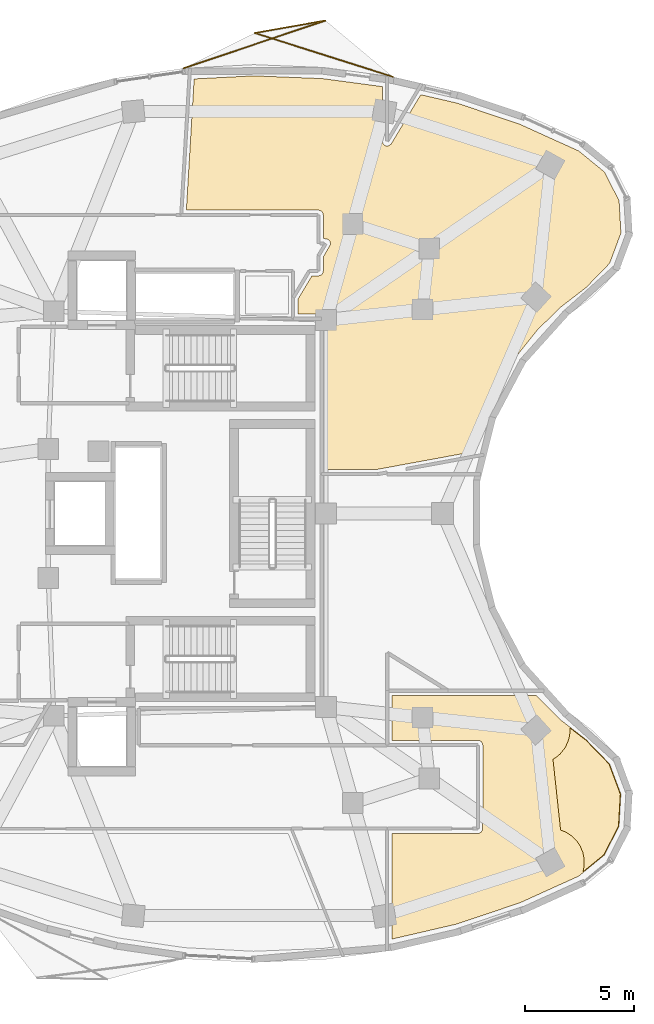
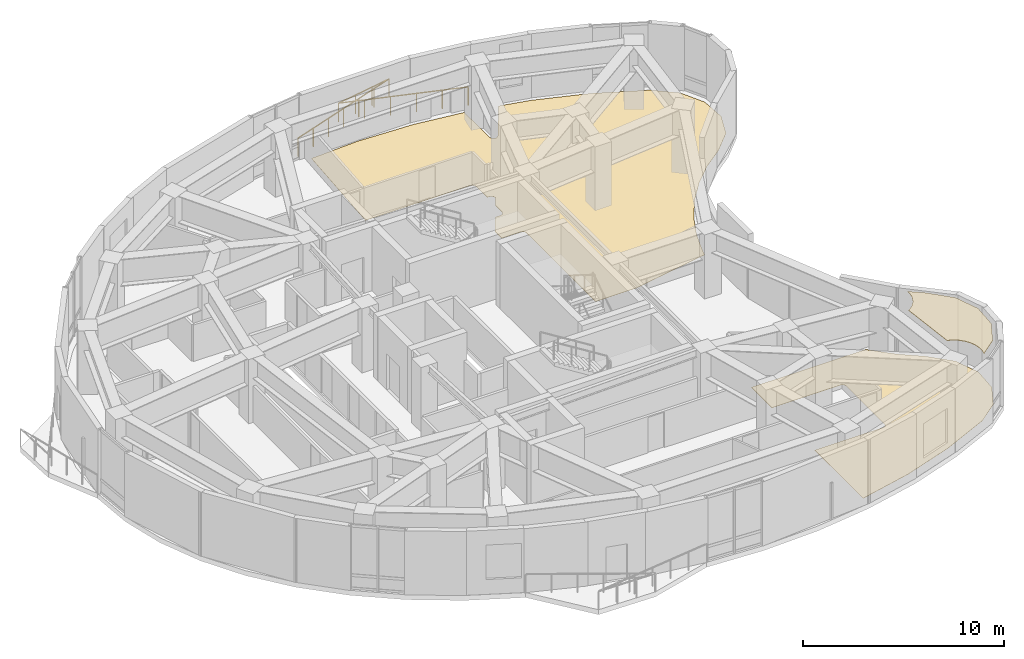
# One storey, part 12 of 12: 3 coverings, 1 railing.
"""IFC4 building model written with IfcOpenShell, lengths in metres."""

from ifc_helpers import new_model, si_unit, direction, frame, origin, origin_2d, place, context, subcontext, project, spatial, polyline, rectangle, outline, extrude, material, layer, layer_set, type_object, element, save


model = new_model("IFC4")

# Units and contexts
model_context = context("Model", 3, precision=1e-05, world=origin(), true_north=direction((0.0, 1.0)))
body_context = subcontext(model_context, "Body", "Model", "MODEL_VIEW")
ifc_project = project(units=[si_unit("LENGTHUNIT", "METRE"), si_unit("AREAUNIT", "SQUARE_METRE"), si_unit("VOLUMEUNIT", "CUBIC_METRE"), si_unit("PLANEANGLEUNIT", "RADIAN"), si_unit("MASSUNIT", "GRAM", prefix="KILO")], contexts=[model_context])

# Site, building, storey
site_placement = place(None, origin())
site = spatial("IfcSite", under=ifc_project, at=site_placement, CompositionType="ELEMENT")
building_placement = place(site_placement, origin())
building = spatial("IfcBuilding", under=site, at=building_placement, Name="Korentha Bioscience Tower", CompositionType="ELEMENT")
storey_placement = place(building_placement, frame((0.0, 0.0, 196.199951171875)))
storey = spatial("IfcBuildingStorey", under=building, at=storey_placement, Name="L45", CompositionType="ELEMENT", Elevation=196.199951171875)

# Railing
ifc_material_1 = material(Name="Laminated Tempered Safety Glass", Category="glass")
railing_type = type_object("IfcRailingType", Name="Laminated Glass Balcony Guardrail 1150", PredefinedType="BALUSTRADE", material=ifc_material_1)
railing_placement = place(storey_placement, frame((40.608154296875, 46.978515625, 0.0)))
element("IfcRailing", 1, at=railing_placement, inside=storey, type_object=railing_type, Name="L45 Balcony Guardrail 01", PredefinedType="BALUSTRADE", context=body_context, shape_type="SweptSolid", body=[
    extrude(rectangle(XDim=0.048095703125, YDim=0.048095703125, at=origin_2d()), frame((0.0, 0.0, 1.1259765625), z_axis=(-0.953172040784, 0.302428604249, 0.0), x_axis=(-0.302428604249, -0.953172040784, 0.0)), (0.0, 0.0, 1.0), 6.618896484375),
    extrude(rectangle(XDim=0.048095703125, YDim=0.048095703125, at=origin_2d()), frame((-6.308837890625, 2.001708984375, 1.1259765625), z_axis=(0.984798526591, 0.173700495176, 0.0), x_axis=(-0.173700495176, 0.984798526591, 0.0)), (0.0, 0.0, 1.0), 3.283203125),
    extrude(rectangle(XDim=0.048095703125, YDim=0.048095703125, at=origin_2d()), frame((-3.075439453125, 2.572021484375, 1.1259765625), z_axis=(-0.947727750915, -0.319080099891, 0.0), x_axis=(0.319080099891, -0.947727750915, 0.0)), (0.0, 0.0, 1.0), 6.8525390625),
    extrude(rectangle(XDim=0.0419921875, YDim=0.0419921875, at=origin_2d()), origin(), (0.0, 0.0, 1.0), 1.101806640625),
    extrude(rectangle(XDim=0.0419921875, YDim=0.0419921875, at=origin_2d()), frame((-1.26171875, 0.400390625, 0.0)), (0.0, 0.0, 1.0), 1.101806640625),
    extrude(rectangle(XDim=0.0419921875, YDim=0.0419921875, at=origin_2d()), frame((-2.5234375, 0.80078125, 0.0)), (0.0, 0.0, 1.0), 1.101806640625),
    extrude(rectangle(XDim=0.0419921875, YDim=0.0419921875, at=origin_2d()), frame((-3.785400390625, 1.200927734375, 0.0)), (0.0, 0.0, 1.0), 1.101806640625),
    extrude(rectangle(XDim=0.0419921875, YDim=0.0419921875, at=origin_2d()), frame((-5.047119140625, 1.601318359375, 0.0)), (0.0, 0.0, 1.0), 1.101806640625),
    extrude(rectangle(XDim=0.0419921875, YDim=0.0419921875, at=origin_2d()), frame((-6.308837890625, 2.001708984375, 0.0)), (0.0, 0.0, 1.0), 1.101806640625),
    extrude(rectangle(XDim=0.0419921875, YDim=0.0419921875, at=origin_2d()), frame((-5.23095703125, 2.19189453125, 0.0)), (0.0, 0.0, 1.0), 1.101806640625),
    extrude(rectangle(XDim=0.0419921875, YDim=0.0419921875, at=origin_2d()), frame((-4.1533203125, 2.3818359375, 0.0)), (0.0, 0.0, 1.0), 1.101806640625),
    extrude(rectangle(XDim=0.0419921875, YDim=0.0419921875, at=origin_2d()), frame((-3.075439453125, 2.572021484375, 0.0)), (0.0, 0.0, 1.0), 1.101806640625),
    extrude(rectangle(XDim=0.0419921875, YDim=0.0419921875, at=origin_2d()), frame((-4.15771484375, 2.20751953125, 0.0)), (0.0, 0.0, 1.0), 1.101806640625),
    extrude(rectangle(XDim=0.0419921875, YDim=0.0419921875, at=origin_2d()), frame((-5.240234375, 1.84326171875, 0.0)), (0.0, 0.0, 1.0), 1.101806640625),
    extrude(rectangle(XDim=0.0419921875, YDim=0.0419921875, at=origin_2d()), frame((-6.32275390625, 1.478759765625, 0.0)), (0.0, 0.0, 1.0), 1.101806640625),
    extrude(rectangle(XDim=0.0419921875, YDim=0.0419921875, at=origin_2d()), frame((-7.405029296875, 1.1142578125, 0.0)), (0.0, 0.0, 1.0), 1.101806640625),
    extrude(rectangle(XDim=0.0419921875, YDim=0.0419921875, at=origin_2d()), frame((-8.4873046875, 0.75, 0.0)), (0.0, 0.0, 1.0), 1.101806640625),
    extrude(rectangle(XDim=0.0419921875, YDim=0.0419921875, at=origin_2d()), frame((-9.56982421875, 0.385498046875, 0.0)), (0.0, 0.0, 1.0), 1.101806640625),
])

# Coverings
ifc_material_2 = material(Name="Antimicrobial Mineral Fibre Board", Category="gypsum")
ifc_layer_1 = layer(ifc_material_2, 0.034912109375, Name="Antimicrobial Mineral Fibre Board")
ifc_layer_set_1 = layer_set([ifc_layer_1], Name="Antimicrobial Mineral Fibre Board (CL-MF35)")
covering_type_1 = type_object("IfcCoveringType", Name="Mineral-Fibre Cleanroom Suspended Ceiling 35", PredefinedType="CEILING", material=ifc_layer_set_1)
covering_1_placement = place(storey_placement, frame((0.0, 0.0, 3.864990234375)))
element("IfcCovering", 2, at=covering_1_placement, inside=storey, type_object=covering_type_1, Name="L45 Researchers' Wellness Quiet Room 05 Acoustic Ceiling", PredefinedType="CEILING", context=body_context, shape_type="SweptSolid", body=[
    extrude(outline(polyline([(49.43212890625, 16.640380859375), (50.50390625, 15.535888671875), (51.01513671875, 14.1630859375), (50.930908203125, 12.700439453125), (50.265380859375, 11.395263671875), (49.30810546875, 10.612548828125), (49.363525390625, 10.8955078125), (49.363525390625, 11.19921875), (49.30419921875, 11.497314453125), (49.18798828125, 11.778076171875), (49.019287109375, 12.03076171875), (48.80419921875, 12.24560546875), (48.5517578125, 12.414306640625), (48.28515625, 12.525634765625), (47.936279296875, 15.7578125), (48.15087890625, 15.90380859375), (48.263671875, 16.006103515625), (48.456298828125, 16.240966796875), (48.53466796875, 16.371337890625), (48.65087890625, 16.652099609375), (48.687744140625, 16.7998046875), (48.710205078125, 16.9501953125), (48.713134765625, 17.19189453125), (49.43212890625, 16.640380859375)])), origin(), (0.0, 0.0, 1.0), 0.03515625),
])
ifc_material_3 = material(Name="Chemical-Resistant Epoxy Resin", Category="polymer")
ifc_layer_2 = layer(ifc_material_3, 0.011962890625, Name="Chemical-Resistant Epoxy Resin")
ifc_layer_set_2 = layer_set([ifc_layer_2], Name="Chemical-Resistant Epoxy Resin (FL-EPX)")
covering_type_2 = type_object("IfcCoveringType", Name="Seamless Epoxy Laboratory Flooring 12", PredefinedType="FLOORING", material=ifc_layer_set_2)
covering_2_placement = place(storey_placement, origin())
element("IfcCovering", 3, at=covering_2_placement, inside=storey, type_object=covering_type_2, Name="L45 Researchers' Wellness Quiet Room 05 Floor Finish", PredefinedType="FLOORING", context=body_context, shape_type="SweptSolid", body=[
    extrude(outline(polyline([(40.572021484375, 18.677978515625), (47.159912109375, 18.677978515625), (48.281494140625, 17.564208984375), (49.4521484375, 16.662841796875), (50.52978515625, 15.55224609375), (51.04541015625, 14.16748046875), (50.96044921875, 12.6923828125), (50.289306640625, 11.376220703125), (49.114013671875, 10.415283203125), (46.433837890625, 9.19921875), (43.5419921875, 8.224853515625), (40.577880859375, 7.537841796875), (40.577880859375, 12.3701171875), (44.5107421875, 12.370361328125), (44.577880859375, 12.383544921875), (44.654052734375, 12.42919921875), (44.72314453125, 12.544677734375), (44.72998046875, 16.39990234375), (44.7080078125, 16.497802734375), (44.65478515625, 16.570068359375), (44.577880859375, 16.616455078125), (44.5, 16.6298828125), (40.572021484375, 16.6298828125), (40.572021484375, 18.677978515625)])), origin(), (0.0, 0.0, 1.0), 0.011962890625),
])
covering_3_placement = place(storey_placement, origin())
element("IfcCovering", 4, at=covering_3_placement, inside=storey, type_object=covering_type_2, Name="L45 BSL-2 Cell Culture Cleanroom Laboratory 07 Floor Finish", PredefinedType="FLOORING", context=body_context, shape_type="SweptSolid", body=[
    extrude(outline(polyline([(34.24365234375, 47.02099609375), (37.401611328125, 46.893798828125), (40.1279296875, 46.5283203125), (40.12841796875, 44.020751953125), (40.173828125, 43.896484375), (40.221923828125, 43.849853515625), (40.302734375, 43.813720703125), (40.434814453125, 43.823974609375), (40.537841796875, 43.906982421875), (41.890380859375, 46.15771484375), (43.5419921875, 45.775146484375), (46.43359375, 44.801025390625), (49.11376953125, 43.5849609375), (50.289306640625, 42.6240234375), (50.96044921875, 41.307861328125), (51.04541015625, 39.83251953125), (50.52978515625, 38.447998046875), (49.452392578125, 37.33740234375), (48.28173828125, 36.435791015625), (47.224853515625, 35.39794921875), (46.265380859375, 34.197021484375), (45.462890625, 32.89208984375), (44.831787109375, 31.513427734375), (44.368408203125, 30.055419921875), (44.323486328125, 29.83251953125), (39.90771484375, 29.02197265625), (37.580078125, 29.02197265625), (37.577392578125, 35.93408203125), (37.5576171875, 35.998779296875), (37.5048828125, 36.070068359375), (37.38427734375, 36.12744140625), (36.280029296875, 36.1298828125), (36.280029296875, 36.8203125), (36.91064453125, 37.8701171875), (37.25537109375, 37.876708984375), (37.33740234375, 37.91552734375), (37.3974609375, 37.982177734375), (37.4296875, 38.089111328125), (37.429931640625, 38.734130859375), (37.7568359375, 39.30224609375), (37.746337890625, 39.428955078125), (37.68505859375, 39.5166015625), (37.590576171875, 39.565673828125), (37.429931640625, 39.572021484375), (37.4296875, 40.660888671875), (37.3974609375, 40.767822265625), (37.31787109375, 40.847412109375), (37.199951171875, 40.8798828125), (31.16748046875, 40.8798828125), (31.523681640625, 46.878662109375), (34.24365234375, 47.02099609375)])), origin(), (0.0, 0.0, 1.0), 0.011962890625),
])

save(model, "model.ifc")
